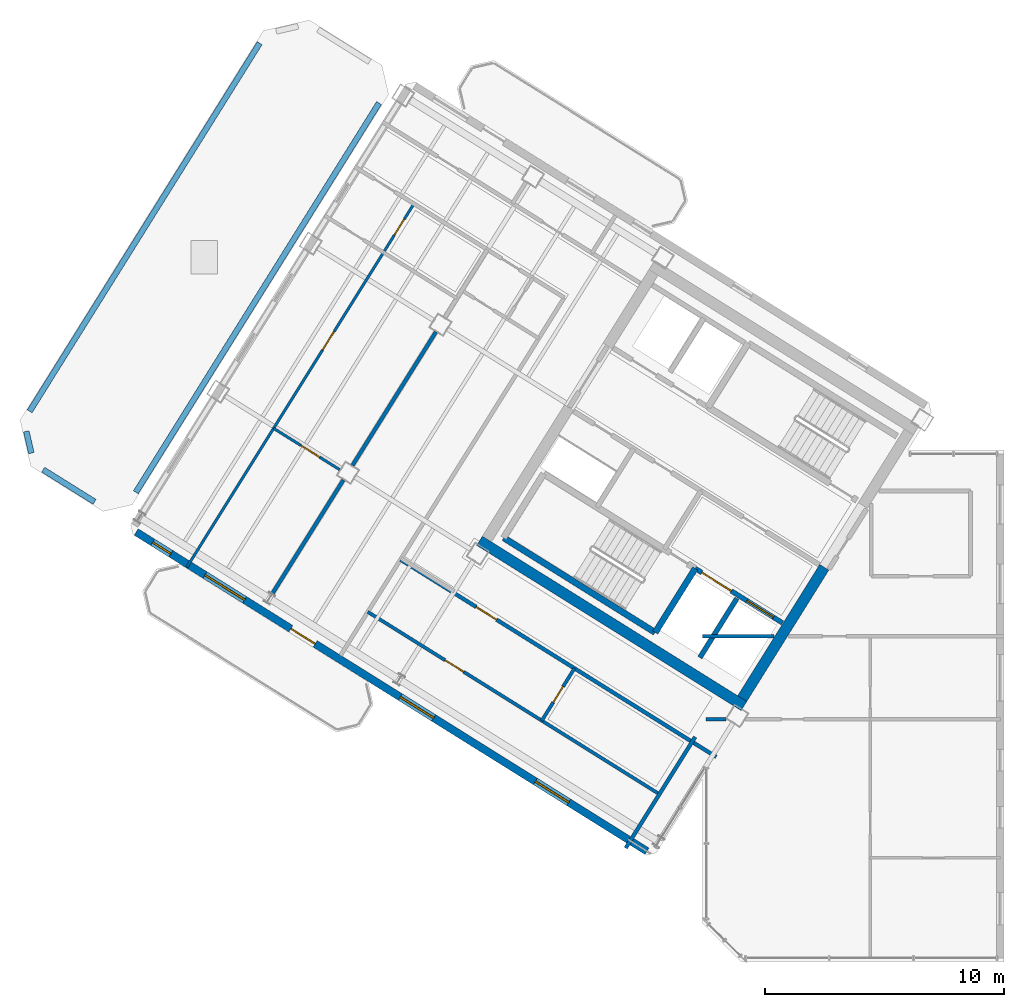
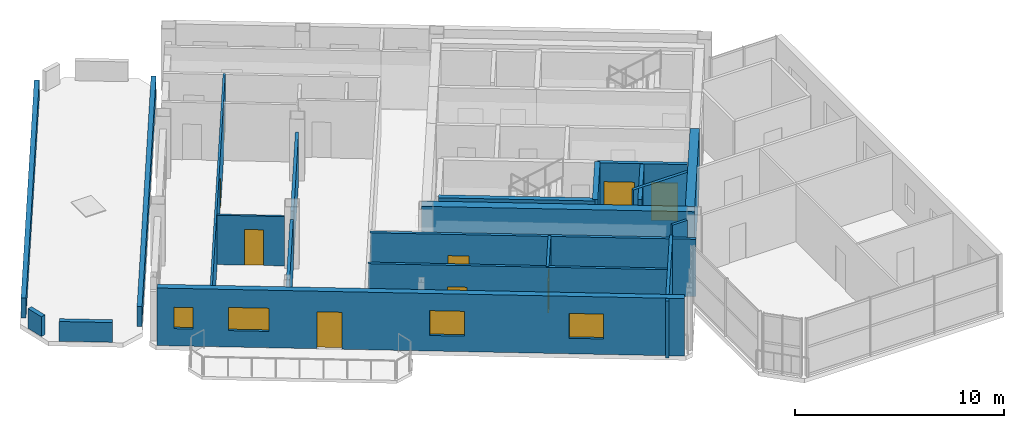
# One storey, part 7 of 12: 21 walls, 9 doors, 4 windows, 13 openings.
"""IFC4 building model written with IfcOpenShell, lengths in metres."""

from ifc_helpers import new_model, si_unit, direction, frame, frame_2d, origin, place, context, subcontext, project, spatial, rectangle, extrude, source, transform, mapped, material, layer, layer_set, type_object, element, fill, save


model = new_model("IFC4")

# Units and contexts
model_context = context("Model", 3, precision=1e-05, world=origin(), true_north=direction((0.0, 1.0)))
body_context = subcontext(model_context, "Body", "Model", "MODEL_VIEW")
ifc_project = project(units=[si_unit("LENGTHUNIT", "METRE"), si_unit("AREAUNIT", "SQUARE_METRE"), si_unit("VOLUMEUNIT", "CUBIC_METRE"), si_unit("PLANEANGLEUNIT", "RADIAN"), si_unit("MASSUNIT", "GRAM", prefix="KILO")], contexts=[model_context])

# Site, building, storey
site_placement = place(None, origin())
site = spatial("IfcSite", under=ifc_project, at=site_placement, CompositionType="ELEMENT")
building_placement = place(site_placement, origin())
building = spatial("IfcBuilding", under=site, at=building_placement, Name="Tlacorven Tower", CompositionType="ELEMENT")
storey_placement = place(building_placement, frame((0.0, 0.0, 280.800048828125)))
storey = spatial("IfcBuildingStorey", under=building, at=storey_placement, Name="L71", CompositionType="ELEMENT", Elevation=280.800048828125)

# Walls
ifc_material_1 = material(Name="Concrete C50/60", Category="concrete")
ifc_layer_1 = layer(ifc_material_1, 0.449951171875)
ifc_layer_set_1 = layer_set([ifc_layer_1], Name="Concrete C50/60")
wall_type_1 = type_object("IfcWallType", Name="WL-COR-450", PredefinedType="SHEAR", material=ifc_layer_set_1)
wall_1_placement = place(storey_placement, frame((33.32373046875, 12.5029296875, 0.0), z_axis=(0.0, 0.0, 1.0), x_axis=(-0.848043529849, 0.529926571782, 0.0)))
element("IfcWall", 1, at=wall_1_placement, inside=storey, type_object=wall_type_1, Name="L71 W core shear wall S2", PredefinedType="SHEAR", context=body_context, shape_type="SweptSolid", body=[
    extrude(rectangle(XDim=13.039794921875, YDim=0.449951171875, at=frame_2d((6.52001953125, 0.0))), origin(), (0.0, 0.0, 1.0), 3.349853515625),
])
wall_2_placement = place(storey_placement, frame((36.683349609375, 18.30419921875, 0.0), z_axis=(0.0, 0.0, 1.0), x_axis=(-0.529904039071, -0.848057609704, 0.0)))
element("IfcWall", 2, at=wall_2_placement, inside=storey, type_object=wall_type_1, Name="L71 W core end wall E1.2", PredefinedType="SHEAR", context=body_context, shape_type="SweptSolid", body=[
    extrude(rectangle(XDim=6.47509765625, YDim=0.449951171875, at=frame_2d((3.237548828125, 0.0))), origin(), (0.0, 0.0, 1.0), 3.349853515625),
])
ifc_material_2 = material(Name="Gypsum plasterboard acoustic partition", Category="gypsum")
ifc_layer_2 = layer(ifc_material_2, 0.159912109375)
ifc_layer_set_2 = layer_set([ifc_layer_2], Name="Gypsum plasterboard acoustic partition")
wall_type_2 = type_object("IfcWallType", Name="WL-DEM-160", PredefinedType="PARTITIONING", material=ifc_layer_set_2)
wall_3_placement = place(storey_placement, frame((20.440185546875, 28.14501953125, 0.0), z_axis=(0.0, 0.0, 1.0), x_axis=(-0.529938869374, -0.84803584519, 0.0)))
element("IfcWall", 3, at=wall_3_placement, inside=storey, type_object=wall_type_2, Name="L71 WN Demising Wall 1", PredefinedType="PARTITIONING", context=body_context, shape_type="SweptSolid", body=[
    extrude(rectangle(XDim=6.575927734375, YDim=0.159912109375, at=frame_2d((3.2880859375, 0.0))), origin(), (0.0, 0.0, 1.0), 2.875),
])
wall_4_placement = place(storey_placement, frame((16.57177734375, 21.954345703125, 0.0), z_axis=(0.0, 0.0, 1.0), x_axis=(-0.529904903214, -0.848057069748, 0.0)))
element("IfcWall", 4, at=wall_4_placement, inside=storey, type_object=wall_type_2, Name="L71 WN Demising Wall 1", PredefinedType="PARTITIONING", context=body_context, shape_type="SweptSolid", body=[
    extrude(rectangle(XDim=5.60107421875, YDim=0.159912109375, at=frame_2d((2.800537109375, 0.0))), origin(), (0.0, 0.0, 1.0), 2.875),
])

# Wall, opening, door
wall_5_placement = place(storey_placement, frame((32.164306640625, 10.373779296875, 0.0), z_axis=(0.0, 0.0, 1.0), x_axis=(-0.848044107957, 0.529925646633, 0.0)))
wall_5 = element("IfcWall", 5, at=wall_5_placement, inside=storey, type_object=wall_type_2, Name="L71 partition 34", PredefinedType="PARTITIONING", context=body_context, shape_type="SweptSolid", body=[
    extrude(rectangle(XDim=15.570068359375, YDim=0.159912109375, at=frame_2d((7.78515625, 0.0))), origin(), (0.0, 0.0, 1.0), 3.33984375),
])
opening_1_placement = place(wall_5_placement, frame((10.830078125, 0.0, 0.0)))
opening_1 = element("IfcOpeningElement", 6, at=opening_1_placement, cuts=wall_5, Name="Opening D11", PredefinedType="OPENING", context=body_context, shape_type="SweptSolid", body=[
    extrude(rectangle(XDim=1.0, YDim=2.10009765625, at=frame_2d((0.5, 1.050048828125))), frame((0.0, 0.08984375, 0.0), z_axis=(0.0, -1.0, 0.0), x_axis=(1.0, 0.0, 0.0)), (0.0, 0.0, 1.0), 0.179931640625),
])
ifc_material_3 = material(Name="Fire-rated steel door assembly", Category="steel")
door_type_1 = type_object("IfcDoorType", Name="DR-FLT-FD60-1000", OperationType="NOTDEFINED", PredefinedType="DOOR", material=ifc_material_3)
shared_shape_1 = source(origin(), body_context, "Body", "SweptSolid", [
    extrude(rectangle(XDim=1.0, YDim=2.10009765625, at=frame_2d((0.5, 1.050048828125))), frame((0.0, 0.02490234375, 0.0), z_axis=(0.0, -1.0, 0.0), x_axis=(1.0, 0.0, 0.0)), (0.0, 0.0, 1.0), 0.050048828125),
])
door_1_placement = place(opening_1_placement, origin())
door_1 = element("IfcDoor", 7, at=door_1_placement, inside=storey, type_object=door_type_1, Name="L71 door 022", OperationType="SINGLE_SWING_LEFT", OverallHeight=2.10009765625, OverallWidth=1.0, PredefinedType="DOOR", context=body_context, shape_type="MappedRepresentation", body=[
    mapped(shared_shape_1, transform((0.0, 0.0, 0.0), scale=1.0)),
])
fill(opening_1, door_1)

# Walls
wall_6_placement = place(storey_placement, frame((31.282470703125, 11.2080078125, 0.0), z_axis=(0.0, 0.0, 1.0), x_axis=(-0.529938869374, -0.84803584519, 0.0)))
element("IfcWall", 8, at=wall_6_placement, inside=storey, type_object=wall_type_2, Name="L71 WC West Throat Wall", PredefinedType="PARTITIONING", context=body_context, shape_type="SweptSolid", body=[
    extrude(rectangle(XDim=5.47998046875, YDim=0.159912109375, at=frame_2d((2.739990234375, 0.0))), origin(), (0.0, 0.0, 1.0), 3.33984375),
])
wall_7_placement = place(storey_placement, frame((31.60009765625, 15.419921875, 0.0), z_axis=(0.0, 0.0, 1.0), x_axis=(1.0, 0.0, 0.0)))
element("IfcWall", 9, at=wall_7_placement, inside=storey, type_object=wall_type_2, Name="L71 Knuckle Corridor South Wall", PredefinedType="PARTITIONING", context=body_context, shape_type="SweptSolid", body=[
    extrude(rectangle(XDim=2.984130859375, YDim=0.159912109375, at=frame_2d((1.4921875, 0.0))), origin(), (0.0, 0.0, 1.0), 3.33984375),
])

# Wall, openings, door, windows
ifc_material_4 = material(Name="Precast concrete C45/55", Category="concrete")
ifc_layer_3 = layer(ifc_material_4, 0.320068359375)
ifc_layer_set_3 = layer_set([ifc_layer_3], Name="Precast concrete C45/55")
wall_type_3 = type_object("IfcWallType", Name="WL-EXT-320", PredefinedType="STANDARD", material=ifc_layer_set_3)
wall_8_placement = place(storey_placement, frame((29.267822265625, 6.429443359375, 0.0), z_axis=(0.0, 0.0, 1.0), x_axis=(-0.848048398186, 0.529918780885, 0.0)))
wall_8 = element("IfcWall", 10, at=wall_8_placement, inside=storey, type_object=wall_type_3, Name="L71 Masonry-Frame Recessed Facade Wall 2", PredefinedType="STANDARD", context=body_context, shape_type="SweptSolid", body=[
    extrude(rectangle(XDim=25.187744140625, YDim=0.320068359375, at=frame_2d((12.59375, 0.0))), origin(), (0.0, 0.0, 1.0), 3.349853515625),
])
opening_2_placement = place(wall_8_placement, frame((16.36181640625, 0.0, 0.0)))
opening_2 = element("IfcOpeningElement", 11, at=opening_2_placement, cuts=wall_8, Name="Opening D05", PredefinedType="OPENING", context=body_context, shape_type="SweptSolid", body=[
    extrude(rectangle(XDim=1.199951171875, YDim=2.14990234375, at=frame_2d((0.60009765625, 1.074951171875))), frame((0.0, 0.169921875, 0.0), z_axis=(0.0, -1.0, 0.0), x_axis=(1.0, 0.0, 0.0)), (0.0, 0.0, 1.0), 0.340087890625),
])
opening_3_placement = place(wall_8_placement, frame((3.858642578125, 0.0, 0.89990234375)))
opening_3 = element("IfcOpeningElement", 12, at=opening_3_placement, cuts=wall_8, Name="Opening WN07", PredefinedType="OPENING", context=body_context, shape_type="SweptSolid", body=[
    extrude(rectangle(XDim=1.64990234375, YDim=1.449951171875, at=frame_2d((0.824951171875, 0.72509765625))), frame((0.0, 0.169921875, 0.0), z_axis=(0.0, -1.0, 0.0), x_axis=(1.0, 0.0, 0.0)), (0.0, 0.0, 1.0), 0.340087890625),
])
opening_4_placement = place(wall_8_placement, frame((10.518798828125, 0.0, 0.89990234375)))
opening_4 = element("IfcOpeningElement", 13, at=opening_4_placement, cuts=wall_8, Name="Opening WN07", PredefinedType="OPENING", context=body_context, shape_type="SweptSolid", body=[
    extrude(rectangle(XDim=1.64990234375, YDim=1.449951171875, at=frame_2d((0.824951171875, 0.72509765625))), frame((0.0, 0.169921875, 0.0), z_axis=(0.0, -1.0, 0.0), x_axis=(1.0, 0.0, 0.0)), (0.0, 0.0, 1.0), 0.340087890625),
])
opening_5_placement = place(wall_8_placement, frame((19.84130859375, 0.0, 0.949951171875)))
opening_5 = element("IfcOpeningElement", 14, at=opening_5_placement, cuts=wall_8, Name="Opening WN09", PredefinedType="OPENING", context=body_context, shape_type="SweptSolid", body=[
    extrude(rectangle(XDim=1.949951171875, YDim=1.35009765625, at=frame_2d((0.97509765625, 0.675048828125))), frame((0.0, 0.169921875, 0.0), z_axis=(0.0, -1.0, 0.0), x_axis=(1.0, 0.0, 0.0)), (0.0, 0.0, 1.0), 0.340087890625),
])
opening_6_placement = place(wall_8_placement, frame((23.47802734375, 0.0, 1.0)))
opening_6 = element("IfcOpeningElement", 15, at=opening_6_placement, cuts=wall_8, Name="Opening WN05", PredefinedType="OPENING", context=body_context, shape_type="SweptSolid", body=[
    extrude(rectangle(XDim=0.89990234375, YDim=1.25, at=frame_2d((0.449951171875, 0.625))), frame((0.0, 0.169921875, 0.0), z_axis=(0.0, -1.0, 0.0), x_axis=(1.0, 0.0, 0.0)), (0.0, 0.0, 1.0), 0.340087890625),
])
ifc_material_5 = material(Name="Powder-coated aluminium and timber door", Category="wood")
door_type_2 = type_object("IfcDoorType", Name="DR-EXT-BALC-1200", OperationType="NOTDEFINED", PredefinedType="DOOR", material=ifc_material_5)
shared_shape_2 = source(origin(), body_context, "Body", "SweptSolid", [
    extrude(rectangle(XDim=1.199951171875, YDim=2.14990234375, at=frame_2d((0.60009765625, 1.074951171875))), frame((0.0, 0.02490234375, 0.0), z_axis=(0.0, -1.0, 0.0), x_axis=(1.0, 0.0, 0.0)), (0.0, 0.0, 1.0), 0.050048828125),
])
door_2_placement = place(opening_2_placement, origin())
door_2 = element("IfcDoor", 16, at=door_2_placement, inside=storey, type_object=door_type_2, Name="L71 Outdoor Access Door BAL-L71-W-OUT", OperationType="SINGLE_SWING_LEFT", OverallHeight=2.14990234375, OverallWidth=1.199951171875, PredefinedType="DOOR", context=body_context, shape_type="MappedRepresentation", body=[
    mapped(shared_shape_2, transform((0.0, 0.0, 0.0), scale=1.0)),
])
fill(opening_2, door_2)
ifc_material_6 = material(Name="Dark solar low-E double glazing in anodised aluminium frame", Category="aluminium")
window_type_1 = type_object("IfcWindowType", Name="WN-APT-0900X1350", PartitioningType="SINGLE_PANEL", PredefinedType="WINDOW", material=ifc_material_6)
shared_shape_3 = source(origin(), body_context, "Body", "SweptSolid", [
    extrude(rectangle(XDim=0.89990234375, YDim=1.25, at=frame_2d((0.449951171875, 0.625))), frame((0.0, 0.030029296875, 0.0), z_axis=(0.0, -1.0, 0.0), x_axis=(1.0, 0.0, 0.0)), (0.0, 0.0, 1.0), 0.06005859375),
])
window_1_placement = place(opening_6_placement, origin())
window_1 = element("IfcWindow", 17, at=window_1_placement, inside=storey, type_object=window_type_1, Name="L71 Recessed Masonry-Frame Window L71-02.4", OverallHeight=1.25, OverallWidth=0.89990234375, PartitioningType="SINGLE_PANEL", PredefinedType="WINDOW", context=body_context, shape_type="MappedRepresentation", body=[
    mapped(shared_shape_3, transform((0.0, 0.0, 0.0), scale=1.0)),
])
fill(opening_6, window_1)
window_type_2 = type_object("IfcWindowType", Name="WN-APT-1650X1600", PartitioningType="SINGLE_PANEL", PredefinedType="WINDOW", material=ifc_material_6)
shared_shape_4 = source(origin(), body_context, "Body", "SweptSolid", [
    extrude(rectangle(XDim=1.64990234375, YDim=1.449951171875, at=frame_2d((0.824951171875, 0.72509765625))), frame((0.0, 0.030029296875, 0.0), z_axis=(0.0, -1.0, 0.0), x_axis=(1.0, 0.0, 0.0)), (0.0, 0.0, 1.0), 0.06005859375),
])
window_2_placement = place(opening_3_placement, origin())
window_2 = element("IfcWindow", 18, at=window_2_placement, inside=storey, type_object=window_type_2, Name="L71 Recessed Masonry-Frame Window L71-02.1", OverallHeight=1.449951171875, OverallWidth=1.64990234375, PartitioningType="SINGLE_PANEL", PredefinedType="WINDOW", context=body_context, shape_type="MappedRepresentation", body=[
    mapped(shared_shape_4, transform((0.0, 0.0, 0.0), scale=1.0)),
])
fill(opening_3, window_2)
window_3_placement = place(opening_4_placement, origin())
window_3 = element("IfcWindow", 19, at=window_3_placement, inside=storey, type_object=window_type_2, Name="L71 Recessed Masonry-Frame Window L71-02.2", OverallHeight=1.449951171875, OverallWidth=1.64990234375, PartitioningType="SINGLE_PANEL", PredefinedType="WINDOW", context=body_context, shape_type="MappedRepresentation", body=[
    mapped(shared_shape_4, transform((0.0, 0.0, 0.0), scale=1.0)),
])
fill(opening_4, window_3)
window_type_3 = type_object("IfcWindowType", Name="WN-GAL-1950X1450", PartitioningType="SINGLE_PANEL", PredefinedType="WINDOW", material=ifc_material_6)
shared_shape_5 = source(origin(), body_context, "Body", "SweptSolid", [
    extrude(rectangle(XDim=1.949951171875, YDim=1.35009765625, at=frame_2d((0.97509765625, 0.675048828125))), frame((0.0, 0.030029296875, 0.0), z_axis=(0.0, -1.0, 0.0), x_axis=(1.0, 0.0, 0.0)), (0.0, 0.0, 1.0), 0.06005859375),
])
window_4_placement = place(opening_5_placement, origin())
window_4 = element("IfcWindow", 20, at=window_4_placement, inside=storey, type_object=window_type_3, Name="L71 Recessed Masonry-Frame Window L71-02.3", OverallHeight=1.35009765625, OverallWidth=1.949951171875, PartitioningType="SINGLE_PANEL", PredefinedType="WINDOW", context=body_context, shape_type="MappedRepresentation", body=[
    mapped(shared_shape_5, transform((0.0, 0.0, 0.0), scale=1.0)),
])
fill(opening_5, window_4)

# Wall, openings, doors
ifc_material_7 = material(Name="Gypsum plasterboard partition", Category="gypsum")
ifc_layer_4 = layer(ifc_material_7, 0.110107421875)
ifc_layer_set_4 = layer_set([ifc_layer_4], Name="Gypsum plasterboard partition")
wall_type_4 = type_object("IfcWallType", Name="WL-INT-110", PredefinedType="PARTITIONING", material=ifc_layer_set_4)
wall_9_placement = place(storey_placement, frame((19.522705078125, 33.50830078125, 0.0), z_axis=(0.0, 0.0, 1.0), x_axis=(-0.529910765222, -0.848053406869, 0.0)))
wall_9 = element("IfcWall", 21, at=wall_9_placement, inside=storey, type_object=wall_type_4, Name="L71 partition 28", PredefinedType="PARTITIONING", context=body_context, shape_type="SweptSolid", body=[
    extrude(rectangle(XDim=17.920166015625, YDim=0.110107421875, at=frame_2d((8.9599609375, 0.0))), origin(), (0.0, 0.0, 1.0), 3.33984375),
])
opening_7_placement = place(wall_9_placement, frame((0.760009765625, 0.0, 0.0)))
opening_7 = element("IfcOpeningElement", 22, at=opening_7_placement, cuts=wall_9, Name="Opening D22", PredefinedType="OPENING", context=body_context, shape_type="SweptSolid", body=[
    extrude(rectangle(XDim=0.780029296875, YDim=2.050048828125, at=frame_2d((0.39013671875, 1.02490234375))), frame((0.0, 0.06494140625, 0.0), z_axis=(0.0, -1.0, 0.0), x_axis=(1.0, 0.0, 0.0)), (0.0, 0.0, 1.0), 0.130126953125),
])
opening_8_placement = place(wall_9_placement, frame((6.28857421875, 0.0, 0.0)))
opening_8 = element("IfcOpeningElement", 23, at=opening_8_placement, cuts=wall_9, Name="Opening D12", PredefinedType="OPENING", context=body_context, shape_type="SweptSolid", body=[
    extrude(rectangle(XDim=0.919921875, YDim=2.080078125, at=frame_2d((0.4599609375, 1.0400390625))), frame((0.0, 0.06494140625, 0.0), z_axis=(0.0, -1.0, 0.0), x_axis=(1.0, 0.0, 0.0)), (0.0, 0.0, 1.0), 0.130126953125),
])
door_type_3 = type_object("IfcDoorType", Name="DR-INT-WET-0780", OperationType="NOTDEFINED", PredefinedType="DOOR", material=ifc_material_5)
shared_shape_6 = source(origin(), body_context, "Body", "SweptSolid", [
    extrude(rectangle(XDim=0.780029296875, YDim=2.050048828125, at=frame_2d((0.39013671875, 1.02490234375))), frame((0.0, 0.02490234375, 0.0), z_axis=(0.0, -1.0, 0.0), x_axis=(1.0, 0.0, 0.0)), (0.0, 0.0, 1.0), 0.050048828125),
])
door_3_placement = place(opening_7_placement, origin())
door_3 = element("IfcDoor", 24, at=door_3_placement, inside=storey, type_object=door_type_3, Name="L71 door 017", OperationType="SINGLE_SWING_RIGHT", OverallHeight=2.050048828125, OverallWidth=0.780029296875, PredefinedType="DOOR", context=body_context, shape_type="MappedRepresentation", body=[
    mapped(shared_shape_6, transform((0.0, 0.0, 0.0), scale=1.0)),
])
fill(opening_7, door_3)
door_type_4 = type_object("IfcDoorType", Name="DR-INT-ROOM-0920", OperationType="NOTDEFINED", PredefinedType="DOOR", material=ifc_material_5)
shared_shape_7 = source(origin(), body_context, "Body", "SweptSolid", [
    extrude(rectangle(XDim=0.919921875, YDim=2.080078125, at=frame_2d((0.4599609375, 1.0400390625))), frame((0.0, 0.02490234375, 0.0), z_axis=(0.0, -1.0, 0.0), x_axis=(1.0, 0.0, 0.0)), (0.0, 0.0, 1.0), 0.050048828125),
])
door_4_placement = place(opening_8_placement, origin())
door_4 = element("IfcDoor", 25, at=door_4_placement, inside=storey, type_object=door_type_4, Name="L71 door 018", OperationType="SINGLE_SWING_LEFT", OverallHeight=2.080078125, OverallWidth=0.919921875, PredefinedType="DOOR", context=body_context, shape_type="MappedRepresentation", body=[
    mapped(shared_shape_7, transform((0.0, 0.0, 0.0), scale=1.0)),
])
fill(opening_8, door_4)

# Wall, opening, door
wall_10_placement = place(storey_placement, frame((16.415771484375, 22.387939453125, 0.0), z_axis=(0.0, 0.0, 1.0), x_axis=(-0.84806986598, 0.529884423641, 0.0)))
wall_10 = element("IfcWall", 26, at=wall_10_placement, inside=storey, type_object=wall_type_4, Name="L71 partition 32", PredefinedType="PARTITIONING", context=body_context, shape_type="SweptSolid", body=[
    extrude(rectangle(XDim=3.2578125, YDim=0.110107421875, at=frame_2d((1.62890625, 0.0))), origin(), (0.0, 0.0, 1.0), 2.875),
])
opening_9_placement = place(wall_10_placement, frame((0.988037109375, 0.0, 0.0)))
opening_9 = element("IfcOpeningElement", 27, at=opening_9_placement, cuts=wall_10, Name="Opening D12", PredefinedType="OPENING", context=body_context, shape_type="SweptSolid", body=[
    extrude(rectangle(XDim=0.919921875, YDim=2.080078125, at=frame_2d((0.4599609375, 1.0400390625))), frame((0.0, 0.06494140625, 0.0), z_axis=(0.0, -1.0, 0.0), x_axis=(1.0, 0.0, 0.0)), (0.0, 0.0, 1.0), 0.130126953125),
])
door_5_placement = place(opening_9_placement, origin())
door_5 = element("IfcDoor", 28, at=door_5_placement, inside=storey, type_object=door_type_4, Name="L71 door 019", OperationType="SINGLE_SWING_RIGHT", OverallHeight=2.080078125, OverallWidth=0.919921875, PredefinedType="DOOR", context=body_context, shape_type="MappedRepresentation", body=[
    mapped(shared_shape_7, transform((0.0, 0.0, 0.0), scale=1.0)),
])
fill(opening_9, door_5)

# Walls
ifc_layer_5 = layer(ifc_material_4, 0.239990234375)
ifc_layer_set_5 = layer_set([ifc_layer_5], Name="Precast concrete C45/55")
wall_type_5 = type_object("IfcWallType", Name="WL-PAR-240", PredefinedType="PARAPET", material=ifc_layer_set_5)
wall_11_placement = place(storey_placement, frame((6.1650390625, 21.04248046875, 0.0), z_axis=(0.0, 0.0, 1.0), x_axis=(-0.848041573463, 0.529929702582, 0.0)))
element("IfcWall", 29, at=wall_11_placement, inside=storey, type_object=wall_type_5, Name="L71 West Wing Setback Parapet 1", PredefinedType="PARAPET", context=body_context, shape_type="SweptSolid", body=[
    extrude(rectangle(XDim=2.53564453125, YDim=0.239990234375, at=frame_2d((1.267822265625, 0.0))), origin(), (0.0, 0.0, 1.0), 1.14990234375),
])
wall_12_placement = place(storey_placement, frame((3.52099609375, 23.078125, 0.0), z_axis=(0.0, 0.0, 1.0), x_axis=(-0.224935737523, 0.974373600825, 0.0)))
element("IfcWall", 30, at=wall_12_placement, inside=storey, type_object=wall_type_5, Name="L71 West Wing Setback Parapet 2", PredefinedType="PARAPET", context=body_context, shape_type="SweptSolid", body=[
    extrude(rectangle(XDim=0.935546875, YDim=0.239990234375, at=frame_2d((0.4677734375, 0.0))), origin(), (0.0, 0.0, 1.0), 1.14990234375),
])
wall_13_placement = place(storey_placement, frame((3.450927734375, 24.828125, 0.0), z_axis=(0.0, 0.0, 1.0), x_axis=(0.529919162229, 0.848048159895, 0.0)))
element("IfcWall", 31, at=wall_13_placement, inside=storey, type_object=wall_type_5, Name="L71 West Wing Setback Parapet 3", PredefinedType="PARAPET", context=body_context, shape_type="SweptSolid", body=[
    extrude(rectangle(XDim=18.15576171875, YDim=0.239990234375, at=frame_2d((9.077880859375, 0.0))), origin(), (0.0, 0.0, 1.0), 1.14990234375),
])
wall_14_placement = place(storey_placement, frame((18.062744140625, 37.7197265625, 0.0), z_axis=(0.0, 0.0, 1.0), x_axis=(-0.529918910732, -0.848048317048, 0.0)))
element("IfcWall", 32, at=wall_14_placement, inside=storey, type_object=wall_type_5, Name="L71 West Wing Setback Parapet 6", PredefinedType="PARAPET", context=body_context, shape_type="SweptSolid", body=[
    extrude(rectangle(XDim=19.195556640625, YDim=0.239990234375, at=frame_2d((9.59765625, 0.0))), origin(), (0.0, 0.0, 1.0), 1.14990234375),
])

# Wall, opening, door
ifc_material_8 = material(Name="Moisture-resistant gypsum plumbing wall", Category="gypsum")
ifc_layer_6 = layer(ifc_material_8, 0.139892578125)
ifc_layer_set_6 = layer_set([ifc_layer_6], Name="Moisture-resistant gypsum plumbing wall")
wall_type_6 = type_object("IfcWallType", Name="WL-PLM-140", PredefinedType="PLUMBINGWALL", material=ifc_layer_set_6)
wall_15_placement = place(storey_placement, frame((29.72021484375, 8.85888671875, 0.0), z_axis=(0.0, 0.0, 1.0), x_axis=(-0.848049134363, 0.529917602752, 0.0)))
wall_15 = element("IfcWall", 33, at=wall_15_placement, inside=storey, type_object=wall_type_6, Name="L71 partition 36", PredefinedType="PLUMBINGWALL", context=body_context, shape_type="SweptSolid", body=[
    extrude(rectangle(XDim=14.300048828125, YDim=0.139892578125, at=frame_2d((7.14990234375, 0.0))), origin(), (0.0, 0.0, 1.0), 3.33984375),
])
opening_10_placement = place(wall_15_placement, frame((9.570068359375, 0.0, 0.0)))
opening_10 = element("IfcOpeningElement", 34, at=opening_10_placement, cuts=wall_15, Name="Opening D12", PredefinedType="OPENING", context=body_context, shape_type="SweptSolid", body=[
    extrude(rectangle(XDim=0.919921875, YDim=2.080078125, at=frame_2d((0.4599609375, 1.0400390625))), frame((0.0, 0.080078125, 0.0), z_axis=(0.0, -1.0, 0.0), x_axis=(1.0, 0.0, 0.0)), (0.0, 0.0, 1.0), 0.159912109375),
])
door_6_placement = place(opening_10_placement, origin())
door_6 = element("IfcDoor", 35, at=door_6_placement, inside=storey, type_object=door_type_4, Name="L71 door 023", OperationType="SINGLE_SWING_RIGHT", OverallHeight=2.080078125, OverallWidth=0.919921875, PredefinedType="DOOR", context=body_context, shape_type="MappedRepresentation", body=[
    mapped(shared_shape_7, transform((0.0, 0.0, 0.0), scale=1.0)),
])
fill(opening_10, door_6)

wall_16_placement = place(storey_placement, frame((26.236572265625, 14.077880859375, 0.0), z_axis=(0.0, 0.0, 1.0), x_axis=(-0.52995640672, -0.848024885824, 0.0)))
wall_16 = element("IfcWall", 36, at=wall_16_placement, inside=storey, type_object=wall_type_6, Name="L71 partition 37", PredefinedType="PLUMBINGWALL", context=body_context, shape_type="SweptSolid", body=[
    extrude(rectangle(XDim=2.579833984375, YDim=0.139892578125, at=frame_2d((1.2900390625, 0.0))), origin(), (0.0, 0.0, 1.0), 3.33984375),
])
opening_11_placement = place(wall_16_placement, frame((0.89990234375, 0.0, 0.0)))
opening_11 = element("IfcOpeningElement", 37, at=opening_11_placement, cuts=wall_16, Name="Opening D22", PredefinedType="OPENING", context=body_context, shape_type="SweptSolid", body=[
    extrude(rectangle(XDim=0.780029296875, YDim=2.050048828125, at=frame_2d((0.39013671875, 1.02490234375))), frame((0.0, 0.080078125, 0.0), z_axis=(0.0, -1.0, 0.0), x_axis=(1.0, 0.0, 0.0)), (0.0, 0.0, 1.0), 0.159912109375),
])
door_7_placement = place(opening_11_placement, origin())
door_7 = element("IfcDoor", 38, at=door_7_placement, inside=storey, type_object=door_type_3, Name="L71 door 024", OperationType="SINGLE_SWING_LEFT", OverallHeight=2.050048828125, OverallWidth=0.780029296875, PredefinedType="DOOR", context=body_context, shape_type="MappedRepresentation", body=[
    mapped(shared_shape_6, transform((0.0, 0.0, 0.0), scale=1.0)),
])
fill(opening_11, door_7)

# Wall
wall_17_placement = place(storey_placement, frame((31.739990234375, 11.949951171875, 0.0), z_axis=(0.0, 0.0, 1.0), x_axis=(1.0, 0.0, 0.0)))
element("IfcWall", 39, at=wall_17_placement, inside=storey, type_object=wall_type_6, Name="L71 partition 45", PredefinedType="PLUMBINGWALL", context=body_context, shape_type="SweptSolid", body=[
    extrude(rectangle(XDim=0.842041015625, YDim=0.139892578125, at=frame_2d((0.4208984375, 0.0))), origin(), (0.0, 0.0, 1.0), 3.33984375),
])

# Wall, openings, doors
ifc_material_9 = material(Name="Concrete C40/50", Category="concrete")
ifc_layer_7 = layer(ifc_material_9, 0.199951171875)
ifc_layer_set_7 = layer_set([ifc_layer_7], Name="Concrete C40/50")
wall_type_7 = type_object("IfcWallType", Name="WL-SHF-200", PredefinedType="STANDARD", material=ifc_layer_set_7)
wall_18_placement = place(storey_placement, frame((34.93310546875, 15.978271484375, 0.0), z_axis=(0.0, 0.0, 1.0), x_axis=(-0.848055739377, 0.529907032327, 0.0)))
wall_18 = element("IfcWall", 40, at=wall_18_placement, inside=storey, type_object=wall_type_7, Name="L71 Core W Firefighting Lift Shaft Front Wall", PredefinedType="STANDARD", context=body_context, shape_type="SweptSolid", body=[
    extrude(rectangle(XDim=4.298095703125, YDim=0.199951171875, at=frame_2d((2.14892578125, 0.0))), origin(), (0.0, 0.0, 1.0), 3.33984375),
])
opening_12_placement = place(wall_18_placement, frame((0.447998046875, 0.0, 0.0)))
opening_12 = element("IfcOpeningElement", 41, at=opening_12_placement, cuts=wall_18, Name="Opening LD03", PredefinedType="OPENING", context=body_context, shape_type="SweptSolid", body=[
    extrude(rectangle(XDim=1.300048828125, YDim=2.199951171875, at=frame_2d((0.64990234375, 1.10009765625))), frame((0.0, 0.10986328125, 0.0), z_axis=(0.0, -1.0, 0.0), x_axis=(1.0, 0.0, 0.0)), (0.0, 0.0, 1.0), 0.219970703125),
])
opening_13_placement = place(wall_18_placement, frame((2.52294921875, 0.0, 0.0)))
opening_13 = element("IfcOpeningElement", 42, at=opening_13_placement, cuts=wall_18, Name="Opening LD04", PredefinedType="OPENING", context=body_context, shape_type="SweptSolid", body=[
    extrude(rectangle(XDim=1.449951171875, YDim=2.25, at=frame_2d((0.72509765625, 1.125))), frame((0.0, 0.10986328125, 0.0), z_axis=(0.0, -1.0, 0.0), x_axis=(1.0, 0.0, 0.0)), (0.0, 0.0, 1.0), 0.219970703125),
])
door_type_5 = type_object("IfcDoorType", Name="DR-LFT-SLID-1300", OperationType="DOUBLE_DOOR_SLIDING", PredefinedType="DOOR", material=ifc_material_3)
shared_shape_8 = source(origin(), body_context, "Body", "SweptSolid", [
    extrude(rectangle(XDim=1.300048828125, YDim=2.199951171875, at=frame_2d((0.64990234375, 1.10009765625))), frame((0.0, 0.02490234375, 0.0), z_axis=(0.0, -1.0, 0.0), x_axis=(1.0, 0.0, 0.0)), (0.0, 0.0, 1.0), 0.050048828125),
])
door_8_placement = place(opening_12_placement, origin())
door_8 = element("IfcDoor", 43, at=door_8_placement, inside=storey, type_object=door_type_5, Name="L71 Lift FFL-W1 Sliding Landing Door", OperationType="DOUBLE_DOOR_SLIDING", OverallHeight=2.199951171875, OverallWidth=1.300048828125, PredefinedType="DOOR", context=body_context, shape_type="MappedRepresentation", body=[
    mapped(shared_shape_8, transform((0.0, 0.0, 0.0), scale=1.0)),
])
fill(opening_12, door_8)
door_type_6 = type_object("IfcDoorType", Name="DR-LFT-SLID-1450", OperationType="DOUBLE_DOOR_SLIDING", PredefinedType="DOOR", material=ifc_material_3)
shared_shape_9 = source(origin(), body_context, "Body", "SweptSolid", [
    extrude(rectangle(XDim=1.449951171875, YDim=2.25, at=frame_2d((0.72509765625, 1.125))), frame((0.0, 0.02490234375, 0.0), z_axis=(0.0, -1.0, 0.0), x_axis=(1.0, 0.0, 0.0)), (0.0, 0.0, 1.0), 0.050048828125),
])
door_9_placement = place(opening_13_placement, origin())
door_9 = element("IfcDoor", 44, at=door_9_placement, inside=storey, type_object=door_type_6, Name="L71 Lift SVL-W1 Sliding Landing Door", OperationType="DOUBLE_DOOR_SLIDING", OverallHeight=2.25, OverallWidth=1.449951171875, PredefinedType="DOOR", context=body_context, shape_type="MappedRepresentation", body=[
    mapped(shared_shape_9, transform((0.0, 0.0, 0.0), scale=1.0)),
])
fill(opening_13, door_9)

# Walls
wall_19_placement = place(storey_placement, frame((33.02880859375, 17.003173828125, 0.0), z_axis=(0.0, 0.0, 1.0), x_axis=(-0.529916267533, -0.848049968695, 0.0)))
element("IfcWall", 45, at=wall_19_placement, inside=storey, type_object=wall_type_7, Name="L71 partition 11", PredefinedType="STANDARD", context=body_context, shape_type="SweptSolid", body=[
    extrude(rectangle(XDim=2.919921875, YDim=0.199951171875, at=frame_2d((1.4599609375, 0.0))), origin(), (0.0, 0.0, 1.0), 3.33984375),
])
ifc_layer_8 = layer(ifc_material_1, 0.260009765625)
ifc_layer_set_8 = layer_set([ifc_layer_8], Name="Concrete C50/60")
wall_type_8 = type_object("IfcWallType", Name="WL-STW-260", PredefinedType="SHEAR", material=ifc_layer_set_8)
wall_20_placement = place(storey_placement, frame((29.60498046875, 15.581298828125, 0.0), z_axis=(0.0, 0.0, 1.0), x_axis=(-0.848036911448, 0.529937163087, 0.0)))
element("IfcWall", 46, at=wall_20_placement, inside=storey, type_object=wall_type_8, Name="L71 Stair W1 Far Shear Wall", PredefinedType="SHEAR", context=body_context, shape_type="SweptSolid", body=[
    extrude(rectangle(XDim=7.4599609375, YDim=0.260009765625, at=frame_2d((3.72998046875, 0.0))), origin(), (0.0, 0.0, 1.0), 3.349853515625),
])
wall_21_placement = place(storey_placement, frame((31.2880859375, 18.255859375, 0.0), z_axis=(0.0, 0.0, 1.0), x_axis=(-0.529943379326, -0.848033026897, 0.0)))
element("IfcWall", 47, at=wall_21_placement, inside=storey, type_object=wall_type_8, Name="L71 Stair W1 West Shear Wall", PredefinedType="SHEAR", context=body_context, shape_type="SweptSolid", body=[
    extrude(rectangle(XDim=3.159912109375, YDim=0.260009765625, at=frame_2d((1.580078125, 0.0))), origin(), (0.0, 0.0, 1.0), 3.349853515625),
])

save(model, "model.ifc")
